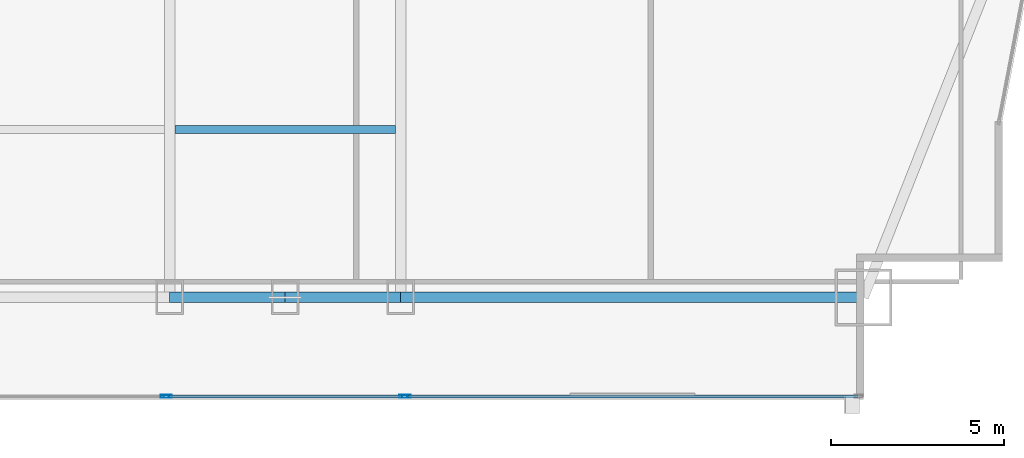
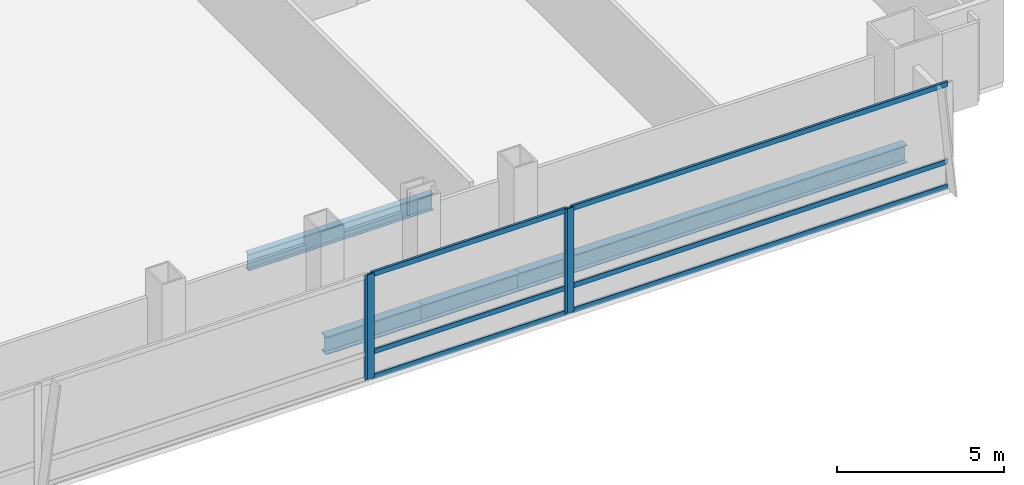
# One storey, part 14 of 37: 10 members, 4 beams, 3 elements without a shape of their own.
"""IFC4 building model written with IfcOpenShell, lengths in metres."""

from ifc_helpers import new_model, si_unit, direction, frame, origin, origin_2d, place, context, subcontext, project, spatial, hollow_rectangle, i_section, extrude, material, material_profile, profile_set, type_object, element, aggregate, save


model = new_model("IFC4")

# Units and contexts
model_context = context("Model", 3, precision=1e-05, world=origin(), true_north=direction((0.0, 1.0)))
body_context = subcontext(model_context, "Body", "Model", "MODEL_VIEW")
ifc_project = project(units=[si_unit("LENGTHUNIT", "METRE"), si_unit("AREAUNIT", "SQUARE_METRE"), si_unit("VOLUMEUNIT", "CUBIC_METRE"), si_unit("PLANEANGLEUNIT", "RADIAN"), si_unit("MASSUNIT", "GRAM", prefix="KILO")], contexts=[model_context])

# Site, building, storey
site_placement = place(None, origin())
site = spatial("IfcSite", under=ifc_project, at=site_placement, CompositionType="ELEMENT")
building_placement = place(site_placement, origin())
building = spatial("IfcBuilding", under=site, at=building_placement, Name="Khoronbel Lancet Exchange", CompositionType="ELEMENT")
storey_placement = place(building_placement, frame((0.0, 0.0, 45.800048828125)))
storey = spatial("IfcBuildingStorey", under=building, at=storey_placement, Name="L10", CompositionType="ELEMENT", Elevation=45.800048828125)

# Beams
ifc_material_1 = material(Name="Steel S355", Category="steel")
ifc_material_profile_1 = material_profile(ifc_material_1, i_section(OverallWidth=0.219970703125, OverallDepth=0.60009765625, WebThickness=0.011962890625, FlangeThickness=0.01904296875, at=origin_2d()), Name="IPE 600")
ifc_profile_set_1 = profile_set([ifc_material_profile_1], Name="Steel S355")
beam_type_1 = type_object("IfcBeamType", Name="BM-BJ1", PredefinedType="JOIST", material=ifc_profile_set_1)
beam_1_placement = place(storey_placement, frame((48.14990234375, 15.0, -0.47998046875), z_axis=(1.0, 0.0, 0.0), x_axis=(0.0, 1.0, 0.0)))
element("IfcBeam", 1, at=beam_1_placement, inside=storey, type_object=beam_type_1, Name="Level L10 secondary composite joist J05", PredefinedType="JOIST", context=body_context, shape_type="SweptSolid", body=[
    extrude(i_section(OverallWidth=0.219970703125, OverallDepth=0.60009765625, WebThickness=0.011962890625, FlangeThickness=0.01904296875, at=origin_2d()), origin(), (0.0, 0.0, 1.0), 6.375),
])
ifc_material_profile_2 = material_profile(ifc_material_1, i_section(OverallWidth=0.300048828125, OverallDepth=0.64990234375, WebThickness=0.01611328125, FlangeThickness=0.031005859375, at=origin_2d()), Name="HEB 650")
ifc_profile_set_2 = profile_set([ifc_material_profile_2], Name="Steel S355")
beam_type_2 = type_object("IfcBeamType", Name="BM-BSP1", PredefinedType="SPANDREL", material=ifc_profile_set_2)
beam_2_placement = place(storey_placement, frame((48.0, 10.14990234375, -0.505126953125), z_axis=(1.0, 0.0, 0.0), x_axis=(0.0, 1.0, 0.0)))
element("IfcBeam", 2, at=beam_2_placement, inside=storey, type_object=beam_type_2, Name="Level L10 perimeter spandrel beam SP07", PredefinedType="SPANDREL", context=body_context, shape_type="SweptSolid", body=[
    extrude(i_section(OverallWidth=0.300048828125, OverallDepth=0.64990234375, WebThickness=0.01611328125, FlangeThickness=0.031005859375, at=origin_2d()), origin(), (0.0, 0.0, 1.0), 3.33740234375),
])
beam_3_placement = place(storey_placement, frame((51.33740234375, 10.14990234375, -0.505126953125), z_axis=(1.0, 0.0, 0.0), x_axis=(0.0, 1.0, 0.0)))
element("IfcBeam", 3, at=beam_3_placement, inside=storey, type_object=beam_type_2, Name="Level L10 perimeter spandrel beam SP08", PredefinedType="SPANDREL", context=body_context, shape_type="SweptSolid", body=[
    extrude(i_section(OverallWidth=0.300048828125, OverallDepth=0.64990234375, WebThickness=0.01611328125, FlangeThickness=0.031005859375, at=origin_2d()), origin(), (0.0, 0.0, 1.0), 3.337646484375),
])
beam_4_placement = place(storey_placement, frame((54.675048828125, 10.14990234375, -0.505126953125), z_axis=(1.0, 0.0, 0.0), x_axis=(0.0, 1.0, 0.0)))
element("IfcBeam", 4, at=beam_4_placement, inside=storey, type_object=beam_type_2, Name="Level L10 perimeter spandrel beam SP09", PredefinedType="SPANDREL", context=body_context, shape_type="SweptSolid", body=[
    extrude(i_section(OverallWidth=0.300048828125, OverallDepth=0.64990234375, WebThickness=0.01611328125, FlangeThickness=0.031005859375, at=origin_2d()), origin(), (0.0, 0.0, 1.0), 13.375),
])

# Curtain wall, member
ifc_material_2 = material(Name="Low-E Solar Control Insulating Glass", Category="glass")
curtain_wall_type = type_object("IfcCurtainWallType", Name="CW-1", PredefinedType="NOTDEFINED", material=ifc_material_2)
curtain_wall_1_placement = place(storey_placement, origin())
curtain_wall_1 = element("IfcCurtainWall", 5, at=curtain_wall_1_placement, inside=storey, type_object=curtain_wall_type, Name="Unitised curtain wall CW-L10-SCV", PredefinedType="NOTDEFINED")
ifc_material_3 = material(Name="Bronze-Anodised Aluminium 6063-T6", Category="aluminium")
ifc_material_profile_3 = material_profile(ifc_material_3, hollow_rectangle(XDim=0.0849609375, YDim=0.239990234375, WallThickness=0.006103515625, at=origin_2d()), Name="ALU MULLION 85x240")
ifc_profile_set_3 = profile_set([ifc_material_profile_3], Name="Bronze-Anodised Aluminium 6063-T6")
member_type_1 = type_object("IfcMemberType", Name="MEM-CWM1", PredefinedType="MULLION", material=ifc_profile_set_3)
member_1_placement = place(storey_placement, frame((47.857421875, 7.2900390625, 0.0), z_axis=(0.0, 0.0, 1.0), x_axis=(0.0, 1.0, 0.0)))
member_1 = element("IfcMember", 6, at=member_1_placement, type_object=member_type_1, Name="CW1 mullion 3", PredefinedType="MULLION", context=body_context, shape_type="SweptSolid", body=[
    extrude(hollow_rectangle(XDim=0.0849609375, YDim=0.239990234375, WallThickness=0.006103515625, at=origin_2d()), origin(), (0.0, 0.0, 1.0), 3.820068359375),
])
aggregate(curtain_wall_1, [member_1])

# Curtain wall, members
curtain_wall_2_placement = place(storey_placement, origin())
curtain_wall_2 = element("IfcCurtainWall", 7, at=curtain_wall_2_placement, inside=storey, type_object=curtain_wall_type, Name="Unitised curtain wall CW-L10-SEB", PredefinedType="NOTDEFINED")
member_2_placement = place(storey_placement, frame((47.9423828125, 7.2900390625, 0.0), z_axis=(0.0, 0.0, 1.0), x_axis=(0.0, 1.0, 0.0)))
member_2 = element("IfcMember", 8, at=member_2_placement, type_object=member_type_1, Name="CW1 mullion 1", PredefinedType="MULLION", context=body_context, shape_type="SweptSolid", body=[
    extrude(hollow_rectangle(XDim=0.0849609375, YDim=0.239990234375, WallThickness=0.006103515625, at=origin_2d()), origin(), (0.0, 0.0, 1.0), 3.820068359375),
])
member_3_placement = place(storey_placement, frame((54.757568359375, 7.2900390625, 0.0), z_axis=(0.0, 0.0, 1.0), x_axis=(0.0, 1.0, 0.0)))
member_3 = element("IfcMember", 9, at=member_3_placement, type_object=member_type_1, Name="CW1 mullion 2", PredefinedType="MULLION", context=body_context, shape_type="SweptSolid", body=[
    extrude(hollow_rectangle(XDim=0.0849609375, YDim=0.239990234375, WallThickness=0.006103515625, at=origin_2d()), origin(), (0.0, 0.0, 1.0), 3.820068359375),
])

# Curtain wall, member
curtain_wall_3_placement = place(storey_placement, origin())
curtain_wall_3 = element("IfcCurtainWall", 10, at=curtain_wall_3_placement, inside=storey, type_object=curtain_wall_type, Name="Unitised curtain wall CW-L10-SEV", PredefinedType="NOTDEFINED")
member_4_placement = place(storey_placement, frame((54.842529296875, 7.2900390625, 0.0), z_axis=(0.0, 0.0, 1.0), x_axis=(0.0, 1.0, 0.0)))
member_4 = element("IfcMember", 11, at=member_4_placement, type_object=member_type_1, Name="CW1 mullion 1", PredefinedType="MULLION", context=body_context, shape_type="SweptSolid", body=[
    extrude(hollow_rectangle(XDim=0.0849609375, YDim=0.239990234375, WallThickness=0.006103515625, at=origin_2d()), origin(), (0.0, 0.0, 1.0), 3.820068359375),
])

# Member
ifc_material_profile_4 = material_profile(ifc_material_3, hollow_rectangle(XDim=0.0849609375, YDim=0.179931640625, WallThickness=0.0048828125, at=origin_2d()), Name="ALU TRANSOM 85x180")
ifc_profile_set_4 = profile_set([ifc_material_profile_4], Name="Bronze-Anodised Aluminium 6063-T6")
member_type_2 = type_object("IfcMemberType", Name="MEM-CWT1", PredefinedType="USERDEFINED", material=ifc_profile_set_4)
member_5_placement = place(storey_placement, frame((47.985107421875, 7.2900390625, 0.04248046875), z_axis=(1.0, 0.0, 0.0), x_axis=(0.0, 1.0, 0.0)))
member_5 = element("IfcMember", 12, at=member_5_placement, type_object=member_type_2, Name="CW1 transom 1.1", ObjectType="TRANSOM", PredefinedType="USERDEFINED", context=body_context, shape_type="SweptSolid", body=[
    extrude(hollow_rectangle(XDim=0.0849609375, YDim=0.179931640625, WallThickness=0.0048828125, at=origin_2d()), origin(), (0.0, 0.0, 1.0), 6.72998046875),
])

member_6_placement = place(storey_placement, frame((47.985107421875, 7.2900390625, 0.949951171875), z_axis=(1.0, 0.0, 0.0), x_axis=(0.0, 1.0, 0.0)))
member_6 = element("IfcMember", 13, at=member_6_placement, type_object=member_type_2, Name="CW1 transom 1.2", ObjectType="TRANSOM", PredefinedType="USERDEFINED", context=body_context, shape_type="SweptSolid", body=[
    extrude(hollow_rectangle(XDim=0.0849609375, YDim=0.179931640625, WallThickness=0.0048828125, at=origin_2d()), origin(), (0.0, 0.0, 1.0), 6.72998046875),
])

member_7_placement = place(storey_placement, frame((47.985107421875, 7.2900390625, 3.77734375), z_axis=(1.0, 0.0, 0.0), x_axis=(0.0, 1.0, 0.0)))
member_7 = element("IfcMember", 14, at=member_7_placement, type_object=member_type_2, Name="CW1 transom 1.3", ObjectType="TRANSOM", PredefinedType="USERDEFINED", context=body_context, shape_type="SweptSolid", body=[
    extrude(hollow_rectangle(XDim=0.0849609375, YDim=0.179931640625, WallThickness=0.0048828125, at=origin_2d()), origin(), (0.0, 0.0, 1.0), 6.72998046875),
])

aggregate(curtain_wall_2, [member_2, member_3, member_5, member_6, member_7])

member_8_placement = place(storey_placement, frame((54.885009765625, 7.2900390625, 0.04248046875), z_axis=(1.0, 0.0, 0.0), x_axis=(0.0, 1.0, 0.0)))
member_8 = element("IfcMember", 15, at=member_8_placement, type_object=member_type_2, Name="CW1 transom 1.1", ObjectType="TRANSOM", PredefinedType="USERDEFINED", context=body_context, shape_type="SweptSolid", body=[
    extrude(hollow_rectangle(XDim=0.0849609375, YDim=0.179931640625, WallThickness=0.0048828125, at=origin_2d()), origin(), (0.0, 0.0, 1.0), 12.989990234375),
])

member_9_placement = place(storey_placement, frame((54.885009765625, 7.2900390625, 0.949951171875), z_axis=(1.0, 0.0, 0.0), x_axis=(0.0, 1.0, 0.0)))
member_9 = element("IfcMember", 16, at=member_9_placement, type_object=member_type_2, Name="CW1 transom 1.2", ObjectType="TRANSOM", PredefinedType="USERDEFINED", context=body_context, shape_type="SweptSolid", body=[
    extrude(hollow_rectangle(XDim=0.0849609375, YDim=0.179931640625, WallThickness=0.0048828125, at=origin_2d()), origin(), (0.0, 0.0, 1.0), 12.989990234375),
])

member_10_placement = place(storey_placement, frame((54.885009765625, 7.2900390625, 3.77734375), z_axis=(1.0, 0.0, 0.0), x_axis=(0.0, 1.0, 0.0)))
member_10 = element("IfcMember", 17, at=member_10_placement, type_object=member_type_2, Name="CW1 transom 1.3", ObjectType="TRANSOM", PredefinedType="USERDEFINED", context=body_context, shape_type="SweptSolid", body=[
    extrude(hollow_rectangle(XDim=0.0849609375, YDim=0.179931640625, WallThickness=0.0048828125, at=origin_2d()), origin(), (0.0, 0.0, 1.0), 12.989990234375),
])

aggregate(curtain_wall_3, [member_4, member_8, member_9, member_10])

save(model, "model.ifc")
